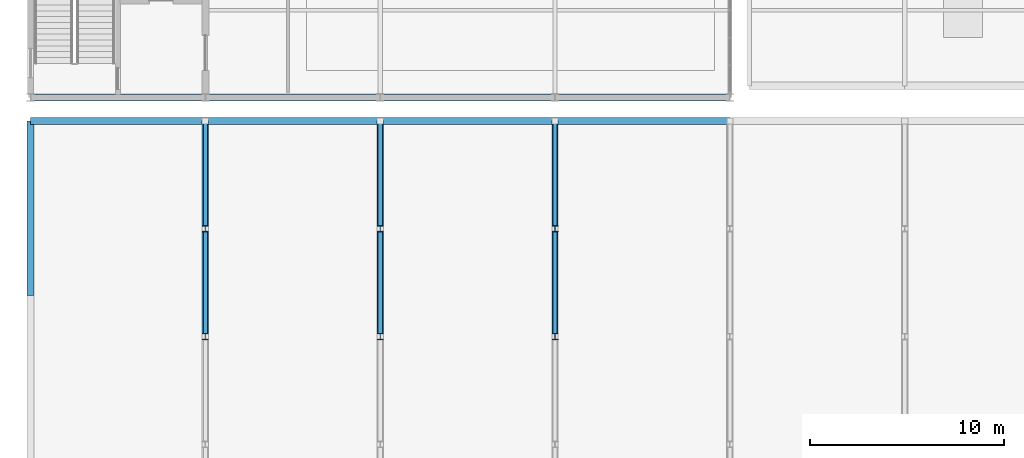
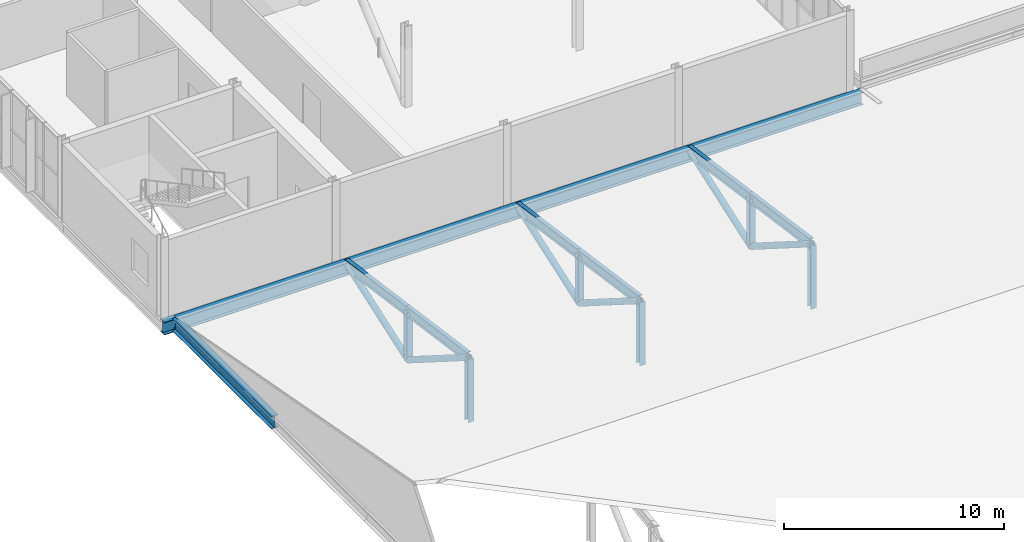
# One storey, part 10 of 103: 18 members, 9 beams.
"""IFC4 building model written with IfcOpenShell, lengths in metres."""

from ifc_helpers import new_model, si_unit, direction, frame, origin, origin_2d, place, context, subcontext, project, spatial, hollow_circle, i_section, extrude, material, material_profile, profile_set, type_object, element, save


model = new_model("IFC4")

# Units and contexts
model_context = context("Model", 3, precision=1e-05, world=origin(), true_north=direction((0.0, 1.0)))
body_context = subcontext(model_context, "Body", "Model", "MODEL_VIEW")
ifc_project = project(units=[si_unit("LENGTHUNIT", "METRE"), si_unit("AREAUNIT", "SQUARE_METRE"), si_unit("VOLUMEUNIT", "CUBIC_METRE"), si_unit("PLANEANGLEUNIT", "RADIAN"), si_unit("MASSUNIT", "GRAM", prefix="KILO")], contexts=[model_context])

# Site, building, storey
site_placement = place(None, origin())
site = spatial("IfcSite", under=ifc_project, at=site_placement, CompositionType="ELEMENT")
building_placement = place(site_placement, origin())
building = spatial("IfcBuilding", under=site, at=building_placement, Name="Cazmaro Siding Exhibition Halls", CompositionType="ELEMENT")
storey_placement = place(building_placement, frame((0.0, 0.0, 16.5)))
storey = spatial("IfcBuildingStorey", under=building, at=storey_placement, Name="L03", CompositionType="ELEMENT", Elevation=16.5)

# Beams
ifc_material_1 = material(Name="Steel ASTM A992 Grade 50", Category="steel")
ifc_material_profile_1 = material_profile(ifc_material_1, i_section(OverallWidth=0.35595703125, OverallDepth=0.696044921875, WebThickness=0.014892578125, FlangeThickness=0.02490234375, at=origin_2d()), Name="W27X146")
ifc_profile_set_1 = profile_set([ifc_material_profile_1], Name="Steel ASTM A992 Grade 50")
beam_type = type_object("IfcBeamType", Name="G-05", PredefinedType="USERDEFINED", material=ifc_profile_set_1)
for number, where, z_axis, x_axis, name in (
    (1, (36.0, 53.39990234375, 0.35205078125), (-1.0, 0.0, 0.0), (0.0, -1.0, 0.0), "Beam G-05 BM-1755"),
    (2, (27.0, 53.39990234375, 0.35205078125), (-1.0, 0.0, 0.0), (0.0, -1.0, 0.0), "Beam G-05 BM-1757"),
    (3, (18.0, 53.39990234375, 0.35205078125), (-1.0, 0.0, 0.0), (0.0, -1.0, 0.0), "Beam G-05 BM-1759"),
    (4, (9.0, 53.39990234375, 0.35205078125), (-1.0, 0.0, 0.0), (0.0, -1.0, 0.0), "Beam G-05 BM-1761"),
    (5, (0.0, 53.39990234375, 0.35205078125), (0.0, -1.0, 0.0), (1.0, 0.0, 0.0), "Beam G-05 BM-1763"),
    (6, (0.0, 54.60009765625, -0.568115234375), (1.0, 0.0, 0.0), (0.0, 1.0, 0.0), "Beam G-05 BM-2172"),
    (7, (9.0, 54.60009765625, -0.568115234375), (1.0, 0.0, 0.0), (0.0, 1.0, 0.0), "Beam G-05 BM-2187"),
    (8, (18.0, 54.60009765625, -0.568115234375), (1.0, 0.0, 0.0), (0.0, 1.0, 0.0), "Beam G-05 BM-2204"),
    (9, (27.0, 54.60009765625, -0.568115234375), (1.0, 0.0, 0.0), (0.0, 1.0, 0.0), "Beam G-05 BM-2221"),
):
    element("IfcBeam", number, at=place(storey_placement, frame(where, z_axis=z_axis, x_axis=x_axis)), inside=storey, type_object=beam_type, Name=name, ObjectType="GIRDER", PredefinedType="USERDEFINED", context=body_context, shape_type="SweptSolid", body=[
        extrude(i_section(OverallWidth=0.35595703125, OverallDepth=0.696044921875, WebThickness=0.014892578125, FlangeThickness=0.02490234375, at=origin_2d()), origin(), (0.0, 0.0, 1.0), 9.0),
    ])

# Members
ifc_material_2 = material(Name="Steel ASTM A992 Grade 50", Category="steel")
ifc_material_profile_2 = material_profile(ifc_material_2, i_section(OverallWidth=0.214111328125, OverallDepth=0.549072265625, WebThickness=0.014892578125, FlangeThickness=0.02392578125, at=origin_2d()), Name="W21X93")
ifc_profile_set_2 = profile_set([ifc_material_profile_2], Name="Steel ASTM A992 Grade 50")
member_type_1 = type_object("IfcMemberType", Name="TC-04", PredefinedType="CHORD", material=ifc_profile_set_2)
member_1_placement = place(storey_placement, frame((9.0, 42.300048828125, 2.06005859375), z_axis=(0.0, 0.990267557209, -0.139176740654), x_axis=(-1.0, 0.0, 0.0)))
element("IfcMember", 10, at=member_1_placement, inside=storey, type_object=member_type_1, Name="Congress folded roof top chord TC-04 MEM-3262", PredefinedType="CHORD", context=body_context, shape_type="SweptSolid", body=[
    extrude(i_section(OverallWidth=0.214111328125, OverallDepth=0.549072265625, WebThickness=0.014892578125, FlangeThickness=0.02392578125, at=origin_2d()), origin(), (0.0, 0.0, 1.0), 5.6044921875),
])
member_2_placement = place(storey_placement, frame((9.0, 47.85009765625, 1.280029296875), z_axis=(0.0, 0.990266713375, -0.139182744555), x_axis=(-1.0, 0.0, 0.0)))
element("IfcMember", 11, at=member_2_placement, inside=storey, type_object=member_type_1, Name="Congress folded roof top chord TC-04 MEM-3265", PredefinedType="CHORD", context=body_context, shape_type="SweptSolid", body=[
    extrude(i_section(OverallWidth=0.214111328125, OverallDepth=0.549072265625, WebThickness=0.014892578125, FlangeThickness=0.02392578125, at=origin_2d()), origin(), (0.0, 0.0, 1.0), 5.604248046875),
])
member_3_placement = place(storey_placement, frame((18.0, 42.300048828125, 2.06005859375), z_axis=(0.0, 0.990267557209, -0.139176740654), x_axis=(-1.0, 0.0, 0.0)))
element("IfcMember", 12, at=member_3_placement, inside=storey, type_object=member_type_1, Name="Congress folded roof top chord TC-04 MEM-3293", PredefinedType="CHORD", context=body_context, shape_type="SweptSolid", body=[
    extrude(i_section(OverallWidth=0.214111328125, OverallDepth=0.549072265625, WebThickness=0.014892578125, FlangeThickness=0.02392578125, at=origin_2d()), origin(), (0.0, 0.0, 1.0), 5.6044921875),
])
member_4_placement = place(storey_placement, frame((18.0, 47.85009765625, 1.280029296875), z_axis=(0.0, 0.990266713375, -0.139182744555), x_axis=(-1.0, 0.0, 0.0)))
element("IfcMember", 13, at=member_4_placement, inside=storey, type_object=member_type_1, Name="Congress folded roof top chord TC-04 MEM-3296", PredefinedType="CHORD", context=body_context, shape_type="SweptSolid", body=[
    extrude(i_section(OverallWidth=0.214111328125, OverallDepth=0.549072265625, WebThickness=0.014892578125, FlangeThickness=0.02392578125, at=origin_2d()), origin(), (0.0, 0.0, 1.0), 5.604248046875),
])
member_5_placement = place(storey_placement, frame((27.0, 42.300048828125, 2.06005859375), z_axis=(0.0, 0.990267557209, -0.139176740654), x_axis=(-1.0, 0.0, 0.0)))
element("IfcMember", 14, at=member_5_placement, inside=storey, type_object=member_type_1, Name="Congress folded roof top chord TC-04 MEM-3324", PredefinedType="CHORD", context=body_context, shape_type="SweptSolid", body=[
    extrude(i_section(OverallWidth=0.214111328125, OverallDepth=0.549072265625, WebThickness=0.014892578125, FlangeThickness=0.02392578125, at=origin_2d()), origin(), (0.0, 0.0, 1.0), 5.6044921875),
])
member_6_placement = place(storey_placement, frame((27.0, 47.85009765625, 1.280029296875), z_axis=(0.0, 0.990266713375, -0.139182744555), x_axis=(-1.0, 0.0, 0.0)))
element("IfcMember", 15, at=member_6_placement, inside=storey, type_object=member_type_1, Name="Congress folded roof top chord TC-04 MEM-3327", PredefinedType="CHORD", context=body_context, shape_type="SweptSolid", body=[
    extrude(i_section(OverallWidth=0.214111328125, OverallDepth=0.549072265625, WebThickness=0.014892578125, FlangeThickness=0.02392578125, at=origin_2d()), origin(), (0.0, 0.0, 1.0), 5.604248046875),
])
ifc_material_3 = material(Name="Steel ASTM A992 Grade 50", Category="steel")
ifc_material_profile_3 = material_profile(ifc_material_3, i_section(OverallWidth=0.304931640625, OverallDepth=0.306884765625, WebThickness=0.010009765625, FlangeThickness=0.014892578125, at=origin_2d()), Name="W12X65")
ifc_profile_set_3 = profile_set([ifc_material_profile_3], Name="Steel ASTM A992 Grade 50")
member_type_2 = type_object("IfcMemberType", Name="TP-03", PredefinedType="POST", material=ifc_profile_set_3)
member_7_placement = place(storey_placement, frame((9.0, 42.300048828125, -1.449951171875), z_axis=(0.0, 0.0, 1.0), x_axis=(1.0, 0.0, 0.0)))
element("IfcMember", 16, at=member_7_placement, inside=storey, type_object=member_type_2, Name="Congress roof post TP-03 MEM-3273", PredefinedType="POST", context=body_context, shape_type="SweptSolid", body=[
    extrude(i_section(OverallWidth=0.304931640625, OverallDepth=0.306884765625, WebThickness=0.010009765625, FlangeThickness=0.014892578125, at=origin_2d()), origin(), (0.0, 0.0, 1.0), 3.510009765625),
])
member_8_placement = place(storey_placement, frame((9.0, 47.85009765625, -1.449951171875), z_axis=(0.0, 0.0, 1.0), x_axis=(1.0, 0.0, 0.0)))
element("IfcMember", 17, at=member_8_placement, inside=storey, type_object=member_type_2, Name="Congress roof post TP-03 MEM-3274", PredefinedType="POST", context=body_context, shape_type="SweptSolid", body=[
    extrude(i_section(OverallWidth=0.304931640625, OverallDepth=0.306884765625, WebThickness=0.010009765625, FlangeThickness=0.014892578125, at=origin_2d()), origin(), (0.0, 0.0, 1.0), 2.72998046875),
])
member_9_placement = place(storey_placement, frame((18.0, 42.300048828125, -1.449951171875), z_axis=(0.0, 0.0, 1.0), x_axis=(1.0, 0.0, 0.0)))
element("IfcMember", 18, at=member_9_placement, inside=storey, type_object=member_type_2, Name="Congress roof post TP-03 MEM-3304", PredefinedType="POST", context=body_context, shape_type="SweptSolid", body=[
    extrude(i_section(OverallWidth=0.304931640625, OverallDepth=0.306884765625, WebThickness=0.010009765625, FlangeThickness=0.014892578125, at=origin_2d()), origin(), (0.0, 0.0, 1.0), 3.510009765625),
])
member_10_placement = place(storey_placement, frame((18.0, 47.85009765625, -1.449951171875), z_axis=(0.0, 0.0, 1.0), x_axis=(1.0, 0.0, 0.0)))
element("IfcMember", 19, at=member_10_placement, inside=storey, type_object=member_type_2, Name="Congress roof post TP-03 MEM-3305", PredefinedType="POST", context=body_context, shape_type="SweptSolid", body=[
    extrude(i_section(OverallWidth=0.304931640625, OverallDepth=0.306884765625, WebThickness=0.010009765625, FlangeThickness=0.014892578125, at=origin_2d()), origin(), (0.0, 0.0, 1.0), 2.72998046875),
])
member_11_placement = place(storey_placement, frame((27.0, 42.300048828125, -1.449951171875), z_axis=(0.0, 0.0, 1.0), x_axis=(1.0, 0.0, 0.0)))
element("IfcMember", 20, at=member_11_placement, inside=storey, type_object=member_type_2, Name="Congress roof post TP-03 MEM-3335", PredefinedType="POST", context=body_context, shape_type="SweptSolid", body=[
    extrude(i_section(OverallWidth=0.304931640625, OverallDepth=0.306884765625, WebThickness=0.010009765625, FlangeThickness=0.014892578125, at=origin_2d()), origin(), (0.0, 0.0, 1.0), 3.510009765625),
])
member_12_placement = place(storey_placement, frame((27.0, 47.85009765625, -1.449951171875), z_axis=(0.0, 0.0, 1.0), x_axis=(1.0, 0.0, 0.0)))
element("IfcMember", 21, at=member_12_placement, inside=storey, type_object=member_type_2, Name="Congress roof post TP-03 MEM-3336", PredefinedType="POST", context=body_context, shape_type="SweptSolid", body=[
    extrude(i_section(OverallWidth=0.304931640625, OverallDepth=0.306884765625, WebThickness=0.010009765625, FlangeThickness=0.014892578125, at=origin_2d()), origin(), (0.0, 0.0, 1.0), 2.72998046875),
])
ifc_material_4 = material(Name="Steel ASTM A500 Grade C", Category="steel")
ifc_material_profile_4 = material_profile(ifc_material_4, hollow_circle(Radius=0.162109375, WallThickness=0.012939453125, at=origin_2d()), Name="PIPE12XS")
ifc_profile_set_4 = profile_set([ifc_material_profile_4], Name="Steel ASTM A500 Grade C")
member_type_3 = type_object("IfcMemberType", Name="WB-03", PredefinedType="BRACE", material=ifc_profile_set_4)
member_13_placement = place(storey_placement, frame((9.0, 42.300048828125, 2.06005859375), z_axis=(0.0, 0.845164526711, -0.53450624205), x_axis=(-1.0, 0.0, 0.0)))
element("IfcMember", 22, at=member_13_placement, inside=storey, type_object=member_type_3, Name="Congress roof diagonal WB-03 MEM-3264", PredefinedType="BRACE", context=body_context, shape_type="SweptSolid", body=[
    extrude(hollow_circle(Radius=0.162109375, WallThickness=0.012939453125, at=origin_2d()), origin(), (0.0, 0.0, 1.0), 6.56689453125),
])
member_14_placement = place(storey_placement, frame((9.0, 47.85009765625, -1.449951171875), z_axis=(0.0, 0.943459087215, 0.331488990392), x_axis=(-1.0, 0.0, 0.0)))
element("IfcMember", 23, at=member_14_placement, inside=storey, type_object=member_type_3, Name="Congress roof diagonal WB-03 MEM-3267", PredefinedType="BRACE", context=body_context, shape_type="SweptSolid", body=[
    extrude(hollow_circle(Radius=0.162109375, WallThickness=0.012939453125, at=origin_2d()), origin(), (0.0, 0.0, 1.0), 5.88232421875),
])
member_15_placement = place(storey_placement, frame((18.0, 42.300048828125, 2.06005859375), z_axis=(0.0, 0.845164526711, -0.53450624205), x_axis=(-1.0, 0.0, 0.0)))
element("IfcMember", 24, at=member_15_placement, inside=storey, type_object=member_type_3, Name="Congress roof diagonal WB-03 MEM-3295", PredefinedType="BRACE", context=body_context, shape_type="SweptSolid", body=[
    extrude(hollow_circle(Radius=0.162109375, WallThickness=0.012939453125, at=origin_2d()), origin(), (0.0, 0.0, 1.0), 6.56689453125),
])
member_16_placement = place(storey_placement, frame((18.0, 47.85009765625, -1.449951171875), z_axis=(0.0, 0.943459087215, 0.331488990392), x_axis=(-1.0, 0.0, 0.0)))
element("IfcMember", 25, at=member_16_placement, inside=storey, type_object=member_type_3, Name="Congress roof diagonal WB-03 MEM-3298", PredefinedType="BRACE", context=body_context, shape_type="SweptSolid", body=[
    extrude(hollow_circle(Radius=0.162109375, WallThickness=0.012939453125, at=origin_2d()), origin(), (0.0, 0.0, 1.0), 5.88232421875),
])
member_17_placement = place(storey_placement, frame((27.0, 42.300048828125, 2.06005859375), z_axis=(0.0, 0.845164526711, -0.53450624205), x_axis=(-1.0, 0.0, 0.0)))
element("IfcMember", 26, at=member_17_placement, inside=storey, type_object=member_type_3, Name="Congress roof diagonal WB-03 MEM-3326", PredefinedType="BRACE", context=body_context, shape_type="SweptSolid", body=[
    extrude(hollow_circle(Radius=0.162109375, WallThickness=0.012939453125, at=origin_2d()), origin(), (0.0, 0.0, 1.0), 6.56689453125),
])
member_18_placement = place(storey_placement, frame((27.0, 47.85009765625, -1.449951171875), z_axis=(0.0, 0.943459087215, 0.331488990392), x_axis=(-1.0, 0.0, 0.0)))
element("IfcMember", 27, at=member_18_placement, inside=storey, type_object=member_type_3, Name="Congress roof diagonal WB-03 MEM-3329", PredefinedType="BRACE", context=body_context, shape_type="SweptSolid", body=[
    extrude(hollow_circle(Radius=0.162109375, WallThickness=0.012939453125, at=origin_2d()), origin(), (0.0, 0.0, 1.0), 5.88232421875),
])

save(model, "model.ifc")
